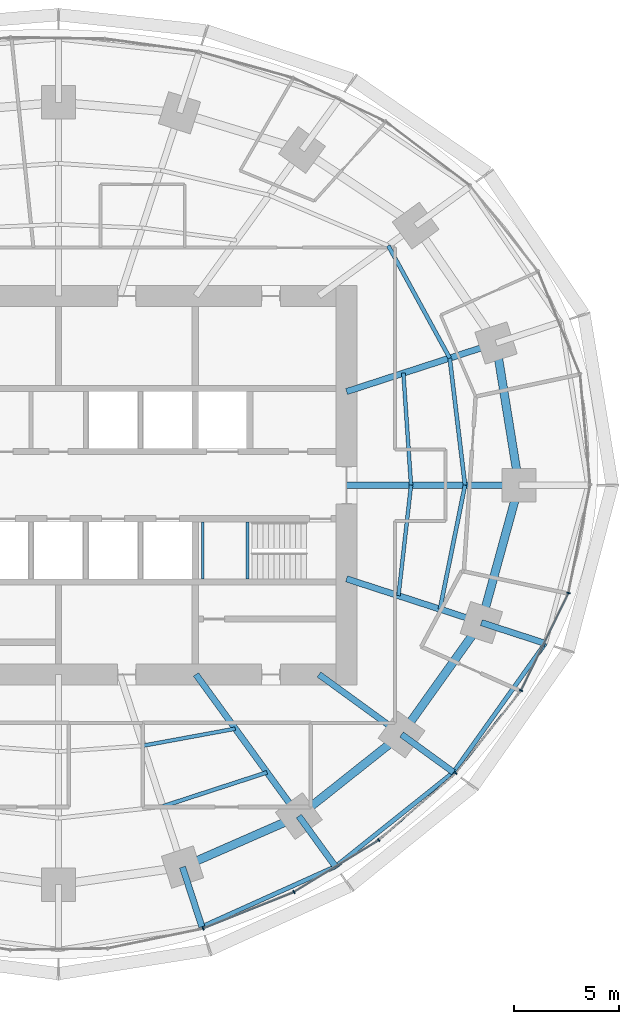
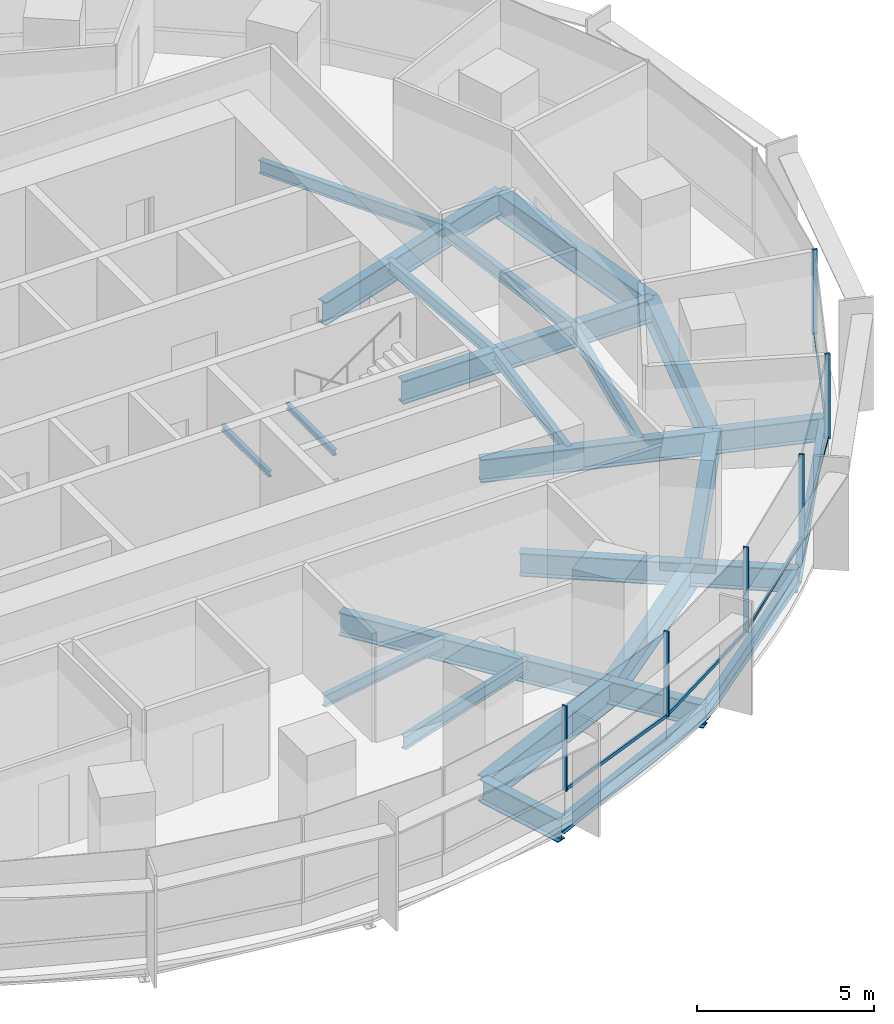
# One storey, part 5 of 14: 26 beams, 11 members, 2 elements without a shape of their own.
"""IFC4 building model written with IfcOpenShell, lengths in metres."""

from ifc_helpers import new_model, si_unit, direction, frame, origin, origin_2d, place, context, subcontext, project, spatial, rectangle, i_section, extrude, material, material_profile, profile_set, type_object, element, aggregate, save


model = new_model("IFC4")

# Units and contexts
model_context = context("Model", 3, precision=1e-05, world=origin(), true_north=direction((0.0, 1.0)))
body_context = subcontext(model_context, "Body", "Model", "MODEL_VIEW")
ifc_project = project(units=[si_unit("LENGTHUNIT", "METRE"), si_unit("AREAUNIT", "SQUARE_METRE"), si_unit("VOLUMEUNIT", "CUBIC_METRE"), si_unit("PLANEANGLEUNIT", "RADIAN"), si_unit("MASSUNIT", "GRAM", prefix="KILO")], contexts=[model_context])

# Site, building, storey
site_placement = place(None, origin())
site = spatial("IfcSite", under=ifc_project, at=site_placement, CompositionType="ELEMENT")
building_placement = place(site_placement, origin())
building = spatial("IfcBuilding", under=site, at=building_placement, Name="Marramba Exchange Tower", CompositionType="ELEMENT")
storey_placement = place(building_placement, frame((0.0, 0.0, 127.5)))
storey = spatial("IfcBuildingStorey", under=building, at=storey_placement, Name="L30", CompositionType="ELEMENT", Elevation=127.5)

# Beams
ifc_material_1 = material(Name="Steel AS/NZS 3679.2 grade 300", Category="steel")
ifc_material_profile_1 = material_profile(ifc_material_1, i_section(OverallWidth=0.300048828125, OverallDepth=0.800048828125, WebThickness=0.013916015625, FlangeThickness=0.031982421875, at=origin_2d()), Name="800WB192")
ifc_profile_set_1 = profile_set([ifc_material_profile_1], Name="Steel AS/NZS 3679.2 grade 300")
beam_type_1 = type_object("IfcBeamType", Name="Cantilever girder 800WB192", PredefinedType="BEAM", material=ifc_profile_set_1)
beam_1_placement = place(storey_placement, frame((5.899658203125, -18.156982421875, -0.56005859375), z_axis=(0.30903246226, -0.951051490336, 0.0), x_axis=(0.951051490336, 0.30903246226, 0.0)))
element("IfcBeam", 1, at=beam_1_placement, inside=storey, type_object=beam_type_1, Name="Cantilever girder L30 TC17", PredefinedType="BEAM", context=body_context, shape_type="SweptSolid", body=[
    extrude(i_section(OverallWidth=0.300048828125, OverallDepth=0.800048828125, WebThickness=0.013916015625, FlangeThickness=0.031982421875, at=origin_2d()), origin(), (0.0, 0.0, 1.0), 2.986328125),
])
beam_2_placement = place(storey_placement, frame((11.430419921875, -15.732666015625, -0.56005859375), z_axis=(0.587794986183, -0.8090099222, 0.0), x_axis=(0.8090099222, 0.587794986183, 0.0)))
element("IfcBeam", 2, at=beam_2_placement, inside=storey, type_object=beam_type_1, Name="Cantilever girder L30 TC18", PredefinedType="BEAM", context=body_context, shape_type="SweptSolid", body=[
    extrude(i_section(OverallWidth=0.300048828125, OverallDepth=0.800048828125, WebThickness=0.013916015625, FlangeThickness=0.031982421875, at=origin_2d()), origin(), (0.0, 0.0, 1.0), 2.9677734375),
])
beam_3_placement = place(storey_placement, frame((16.3154296875, -11.853759765625, -0.56005859375), z_axis=(0.809026231081, -0.587772538847, 0.0), x_axis=(0.587772538847, 0.809026231081, 0.0)))
element("IfcBeam", 3, at=beam_3_placement, inside=storey, type_object=beam_type_1, Name="Cantilever girder L30 TC19", PredefinedType="BEAM", context=body_context, shape_type="SweptSolid", body=[
    extrude(i_section(OverallWidth=0.300048828125, OverallDepth=0.800048828125, WebThickness=0.013916015625, FlangeThickness=0.031982421875, at=origin_2d()), origin(), (0.0, 0.0, 1.0), 3.055419921875),
])
beam_4_placement = place(storey_placement, frame((20.109375, -6.533935546875, -0.56005859375), z_axis=(0.951054839063, -0.309022156318, 0.0), x_axis=(0.309022156318, 0.951054839063, 0.0)))
element("IfcBeam", 4, at=beam_4_placement, inside=storey, type_object=beam_type_1, Name="Cantilever girder L30 TC20", PredefinedType="BEAM", context=body_context, shape_type="SweptSolid", body=[
    extrude(i_section(OverallWidth=0.300048828125, OverallDepth=0.800048828125, WebThickness=0.013916015625, FlangeThickness=0.031982421875, at=origin_2d()), origin(), (0.0, 0.0, 1.0), 3.19580078125),
])
ifc_material_2 = material(Name="Steel AS/NZS 3679.1 grade 300", Category="steel")
ifc_material_profile_2 = material_profile(ifc_material_2, i_section(OverallWidth=0.177978515625, OverallDepth=0.406005859375, WebThickness=0.0078125, FlangeThickness=0.0126953125, FilletRadius=0.011474609375, at=origin_2d()), Name="410UB59.7")
ifc_profile_set_2 = profile_set([ifc_material_profile_2], Name="Steel AS/NZS 3679.1 grade 300")
beam_type_2 = type_object("IfcBeamType", Name="Floor joist 410UB59.7", PredefinedType="JOIST", material=ifc_profile_set_2)
beam_5_placement = place(storey_placement, frame((16.7666015625, 0.0, -0.363037109375), z_axis=(-0.068096259546, 0.99767875563, 0.0), x_axis=(-0.99767875563, -0.068096259546, 0.0)))
element("IfcBeam", 5, at=beam_5_placement, inside=storey, type_object=beam_type_2, Name="Joist L30 bay 01 row 1", PredefinedType="JOIST", context=body_context, shape_type="SweptSolid", body=[
    extrude(i_section(OverallWidth=0.177978515625, OverallDepth=0.406005859375, WebThickness=0.0078125, FlangeThickness=0.0126953125, FilletRadius=0.011474609375, at=origin_2d()), origin(), (0.0, 0.0, 1.0), 5.342041015625),
])
beam_6_placement = place(storey_placement, frame((4.0244140625, -12.3857421875, -0.363037109375), z_axis=(0.983455754421, 0.181148500119, 0.0), x_axis=(-0.181148500119, 0.983455754421, 0.0)))
element("IfcBeam", 6, at=beam_6_placement, inside=storey, type_object=beam_type_2, Name="Joist L30 bay 17 row 1", PredefinedType="JOIST", context=body_context, shape_type="SweptSolid", body=[
    extrude(i_section(OverallWidth=0.177978515625, OverallDepth=0.406005859375, WebThickness=0.0078125, FlangeThickness=0.0126953125, FilletRadius=0.011474609375, at=origin_2d()), origin(), (0.0, 0.0, 1.0), 4.4609375),
])
beam_7_placement = place(storey_placement, frame((16.169677734375, -5.25390625, -0.363037109375), z_axis=(0.112888968594, 0.993607609054, 0.0), x_axis=(-0.993607609054, 0.112888968594, 0.0)))
element("IfcBeam", 7, at=beam_7_placement, inside=storey, type_object=beam_type_2, Name="Joist L30 bay 20 row 1", PredefinedType="JOIST", context=body_context, shape_type="SweptSolid", body=[
    extrude(i_section(OverallWidth=0.177978515625, OverallDepth=0.406005859375, WebThickness=0.0078125, FlangeThickness=0.0126953125, FilletRadius=0.011474609375, at=origin_2d()), origin(), (0.0, 0.0, 1.0), 5.28759765625),
])
ifc_material_profile_3 = material_profile(ifc_material_2, i_section(OverallWidth=0.18994140625, OverallDepth=0.4541015625, WebThickness=0.008544921875, FlangeThickness=0.0126953125, FilletRadius=0.011474609375, at=origin_2d()), Name="460UB67.1")
ifc_profile_set_3 = profile_set([ifc_material_profile_3], Name="Steel AS/NZS 3679.1 grade 300")
beam_type_3 = type_object("IfcBeamType", Name="Floor joist 460UB67.1", PredefinedType="JOIST", material=ifc_profile_set_3)
beam_8_placement = place(storey_placement, frame((19.333251953125, 0.0, -0.386962890625), z_axis=(-0.119523078538, 0.992831422597, 0.0), x_axis=(-0.992831422597, -0.119523078538, 0.0)))
element("IfcBeam", 8, at=beam_8_placement, inside=storey, type_object=beam_type_3, Name="Joist L30 bay 01 row 2", PredefinedType="JOIST", context=body_context, shape_type="SweptSolid", body=[
    extrude(i_section(OverallWidth=0.18994140625, OverallDepth=0.4541015625, WebThickness=0.008544921875, FlangeThickness=0.0126953125, FilletRadius=0.011474609375, at=origin_2d()), origin(), (0.0, 0.0, 1.0), 6.089111328125),
])
beam_9_placement = place(storey_placement, frame((18.60546875, 6.04541015625, -0.386962890625), z_axis=(-0.479584443791, 0.877495732909, 0.0), x_axis=(-0.877495732909, -0.479584443791, 0.0)))
element("IfcBeam", 9, at=beam_9_placement, inside=storey, type_object=beam_type_3, Name="Joist L30 bay 02 row 2", PredefinedType="JOIST", context=body_context, shape_type="SweptSolid", body=[
    extrude(i_section(OverallWidth=0.18994140625, OverallDepth=0.4541015625, WebThickness=0.008544921875, FlangeThickness=0.0126953125, FilletRadius=0.011474609375, at=origin_2d()), origin(), (0.0, 0.0, 1.0), 6.094970703125),
])
beam_10_placement = place(storey_placement, frame((4.9619140625, -15.271484375, -0.386962890625), z_axis=(0.950764024931, 0.309915744834, 0.0), x_axis=(-0.309915744834, 0.950764024931, 0.0)))
element("IfcBeam", 10, at=beam_10_placement, inside=storey, type_object=beam_type_3, Name="Joist L30 bay 17 row 2", PredefinedType="JOIST", context=body_context, shape_type="SweptSolid", body=[
    extrude(i_section(OverallWidth=0.18994140625, OverallDepth=0.4541015625, WebThickness=0.008544921875, FlangeThickness=0.0126953125, FilletRadius=0.011474609375, at=origin_2d()), origin(), (0.0, 0.0, 1.0), 5.2158203125),
])
beam_11_placement = place(storey_placement, frame((18.1396484375, -5.893798828125, -0.386962890625), z_axis=(0.198489047047, 0.980103105904, 0.0), x_axis=(-0.980103105904, 0.198489047047, 0.0)))
element("IfcBeam", 11, at=beam_11_placement, inside=storey, type_object=beam_type_3, Name="Joist L30 bay 20 row 2", PredefinedType="JOIST", context=body_context, shape_type="SweptSolid", body=[
    extrude(i_section(OverallWidth=0.18994140625, OverallDepth=0.4541015625, WebThickness=0.008544921875, FlangeThickness=0.0126953125, FilletRadius=0.011474609375, at=origin_2d()), origin(), (0.0, 0.0, 1.0), 6.013427734375),
])

# Curtain wall, member
ifc_material_3 = material(Name="Aluminium framing, bronze anodised", Category="aluminium")
curtain_wall_type = type_object("IfcCurtainWallType", Name="Office ribbon curtain wall", PredefinedType="USERDEFINED", material=ifc_material_3)
curtain_wall_1_placement = place(storey_placement, origin())
curtain_wall_1 = element("IfcCurtainWall", 12, at=curtain_wall_1_placement, inside=storey, type_object=curtain_wall_type, Name="Curtain wall CW4 L30 F21-F25", ObjectType="RIBBON CURTAIN WALL", PredefinedType="USERDEFINED")
ifc_material_4 = material(Name="Aluminium mullion, bronze anodised", Category="aluminium")
ifc_material_profile_4 = material_profile(ifc_material_4, rectangle(XDim=0.159912109375, YDim=0.06005859375, at=origin_2d()), Name="CW4 mullion 60x160")
ifc_profile_set_4 = profile_set([ifc_material_profile_4], Name="Aluminium mullion, bronze anodised")
member_type_1 = type_object("IfcMemberType", Name="Office ribbon curtain wall mullion", PredefinedType="MULLION", material=ifc_profile_set_4)
member_1_placement = place(storey_placement, frame((6.881103515625, -21.0810546875, 0.800048828125), z_axis=(0.0, 0.0, 1.0), x_axis=(-0.372209067082, 0.928148916059, 0.0)))
member_1 = element("IfcMember", 13, at=member_1_placement, type_object=member_type_1, Name="CW4 mullion 1", PredefinedType="MULLION", context=body_context, shape_type="SweptSolid", body=[
    extrude(rectangle(XDim=0.159912109375, YDim=0.06005859375, at=origin_2d()), origin(), (0.0, 0.0, 1.0), 2.93994140625),
])

# Curtain wall, members
curtain_wall_2_placement = place(storey_placement, origin())
curtain_wall_2 = element("IfcCurtainWall", 14, at=curtain_wall_2_placement, inside=storey, type_object=curtain_wall_type, Name="Curtain wall CW4 L30 F26-F30", ObjectType="RIBBON CURTAIN WALL", PredefinedType="USERDEFINED")
member_2_placement = place(storey_placement, frame((11.2021484375, -19.3427734375, 0.800048828125), z_axis=(0.0, 0.0, 1.0), x_axis=(-0.521732535664, 0.853109114492, 0.0)))
member_2 = element("IfcMember", 15, at=member_2_placement, type_object=member_type_1, Name="CW4 mullion 1", PredefinedType="MULLION", context=body_context, shape_type="SweptSolid", body=[
    extrude(rectangle(XDim=0.159912109375, YDim=0.06005859375, at=origin_2d()), origin(), (0.0, 0.0, 1.0), 2.93994140625),
])
member_3_placement = place(storey_placement, frame((15.232177734375, -16.872314453125, 0.800048828125), z_axis=(0.0, 0.0, 1.0), x_axis=(-0.656431647438, 0.754385506384, 0.0)))
member_3 = element("IfcMember", 16, at=member_3_placement, type_object=member_type_1, Name="CW4 mullion 1", PredefinedType="MULLION", context=body_context, shape_type="SweptSolid", body=[
    extrude(rectangle(XDim=0.159912109375, YDim=0.06005859375, at=origin_2d()), origin(), (0.0, 0.0, 1.0), 2.93994140625),
])
member_4_placement = place(storey_placement, frame((18.886962890625, -13.68505859375, 0.800048828125), z_axis=(0.0, 0.0, 1.0), x_axis=(-0.783170139469, 0.621807472329, 0.0)))
member_4 = element("IfcMember", 17, at=member_4_placement, type_object=member_type_1, Name="CW4 mullion 1", PredefinedType="MULLION", context=body_context, shape_type="SweptSolid", body=[
    extrude(rectangle(XDim=0.159912109375, YDim=0.06005859375, at=origin_2d()), origin(), (0.0, 0.0, 1.0), 2.93994140625),
])
member_5_placement = place(storey_placement, frame((21.994873046875, -9.760009765625, 0.800048828125), z_axis=(0.0, 0.0, 1.0), x_axis=(-0.89844486976, 0.439086342308, 0.0)))
member_5 = element("IfcMember", 18, at=member_5_placement, type_object=member_type_1, Name="CW4 mullion 1", PredefinedType="MULLION", context=body_context, shape_type="SweptSolid", body=[
    extrude(rectangle(XDim=0.159912109375, YDim=0.06005859375, at=origin_2d()), origin(), (0.0, 0.0, 1.0), 2.93994140625),
])
member_6_placement = place(storey_placement, frame((24.252197265625, -5.124267578125, 0.800048828125), z_axis=(0.0, 0.0, 1.0), x_axis=(-0.980393739376, 0.197048511267, 0.0)))
member_6 = element("IfcMember", 19, at=member_6_placement, type_object=member_type_1, Name="CW4 mullion 1", PredefinedType="MULLION", context=body_context, shape_type="SweptSolid", body=[
    extrude(rectangle(XDim=0.159912109375, YDim=0.06005859375, at=origin_2d()), origin(), (0.0, 0.0, 1.0), 2.93994140625),
])

# Member
ifc_material_5 = material(Name="Aluminium transom, bronze anodised", Category="aluminium")
ifc_material_profile_5 = material_profile(ifc_material_5, rectangle(XDim=0.06005859375, YDim=0.1201171875, at=origin_2d()), Name="CW4 transom 60x120")
ifc_profile_set_5 = profile_set([ifc_material_profile_5], Name="Aluminium transom, bronze anodised")
member_type_2 = type_object("IfcMemberType", Name="Office ribbon curtain wall transom", PredefinedType="USERDEFINED", material=ifc_profile_set_5)
member_7_placement = place(storey_placement, frame((6.908935546875, -21.06982421875, 0.830078125), z_axis=(0.928146753748, 0.372214459026, 0.0), x_axis=(-0.372214459026, 0.928146753748, 0.0)))
member_7 = element("IfcMember", 20, at=member_7_placement, type_object=member_type_2, Name="CW4 sill transom", ObjectType="TRANSOM", PredefinedType="USERDEFINED", context=body_context, shape_type="SweptSolid", body=[
    extrude(rectangle(XDim=0.06005859375, YDim=0.1201171875, at=origin_2d()), origin(), (0.0, 0.0, 1.0), 4.597900390625),
])

aggregate(curtain_wall_1, [member_1, member_7])

member_8_placement = place(storey_placement, frame((11.227783203125, -19.3271484375, 0.830078125), z_axis=(0.853124051379, 0.52170811088, 0.0), x_axis=(-0.52170811088, 0.853124051379, 0.0)))
member_8 = element("IfcMember", 21, at=member_8_placement, type_object=member_type_2, Name="CW4 sill transom", ObjectType="TRANSOM", PredefinedType="USERDEFINED", context=body_context, shape_type="SweptSolid", body=[
    extrude(rectangle(XDim=0.06005859375, YDim=0.1201171875, at=origin_2d()), origin(), (0.0, 0.0, 1.0), 4.66748046875),
])

member_9_placement = place(storey_placement, frame((15.2548828125, -16.8525390625, 0.830078125), z_axis=(0.754392594189, 0.65642350189, 0.0), x_axis=(-0.65642350189, 0.754392594189, 0.0)))
member_9 = element("IfcMember", 22, at=member_9_placement, type_object=member_type_2, Name="CW4 sill transom", ObjectType="TRANSOM", PredefinedType="USERDEFINED", context=body_context, shape_type="SweptSolid", body=[
    extrude(rectangle(XDim=0.06005859375, YDim=0.1201171875, at=origin_2d()), origin(), (0.0, 0.0, 1.0), 4.78955078125),
])

member_10_placement = place(storey_placement, frame((18.905517578125, -13.66162109375, 0.830078125), z_axis=(0.621777997945, 0.783193540111, 0.0), x_axis=(-0.783193540111, 0.621777997945, 0.0)))
member_10 = element("IfcMember", 23, at=member_10_placement, type_object=member_type_2, Name="CW4 sill transom", ObjectType="TRANSOM", PredefinedType="USERDEFINED", context=body_context, shape_type="SweptSolid", body=[
    extrude(rectangle(XDim=0.06005859375, YDim=0.1201171875, at=origin_2d()), origin(), (0.0, 0.0, 1.0), 4.947265625),
])

member_11_placement = place(storey_placement, frame((22.008056640625, -9.73291015625, 0.830078125), z_axis=(0.439090714557, 0.898442732949, 0.0), x_axis=(-0.898442732949, 0.439090714557, 0.0)))
member_11 = element("IfcMember", 24, at=member_11_placement, type_object=member_type_2, Name="CW4 sill transom", ObjectType="TRANSOM", PredefinedType="USERDEFINED", context=body_context, shape_type="SweptSolid", body=[
    extrude(rectangle(XDim=0.06005859375, YDim=0.1201171875, at=origin_2d()), origin(), (0.0, 0.0, 1.0), 5.096923828125),
])

aggregate(curtain_wall_2, [member_2, member_8, member_3, member_9, member_4, member_10, member_5, member_11, member_6])

# Beams
ifc_material_profile_6 = material_profile(ifc_material_1, i_section(OverallWidth=0.300048828125, OverallDepth=0.800048828125, WebThickness=0.013916015625, FlangeThickness=0.031982421875, at=origin_2d()), Name="800WB192")
ifc_profile_set_6 = profile_set([ifc_material_profile_6], Name="Steel AS/NZS 3679.2 grade 300")
beam_type_4 = type_object("IfcBeamType", Name="Radial girder 800WB192", PredefinedType="BEAM", material=ifc_profile_set_6)
beam_12_placement = place(storey_placement, frame((13.699951171875, 0.0, -0.56005859375), z_axis=(1.0, 0.0, 0.0), x_axis=(0.0, 1.0, 0.0)))
element("IfcBeam", 25, at=beam_12_placement, inside=storey, type_object=beam_type_4, Name="Radial girder L30 TC01", PredefinedType="BEAM", context=body_context, shape_type="SweptSolid", body=[
    extrude(i_section(OverallWidth=0.300048828125, OverallDepth=0.800048828125, WebThickness=0.013916015625, FlangeThickness=0.031982421875, at=origin_2d()), origin(), (0.0, 0.0, 1.0), 8.199951171875),
])
beam_13_placement = place(storey_placement, frame((13.699951171875, 4.451416015625, -0.56005859375), z_axis=(0.951059990189, 0.309006302624, 0.0), x_axis=(-0.309006302624, 0.951059990189, 0.0)))
element("IfcBeam", 26, at=beam_13_placement, inside=storey, type_object=beam_type_4, Name="Radial girder L30 TC02", PredefinedType="BEAM", context=body_context, shape_type="SweptSolid", body=[
    extrude(i_section(OverallWidth=0.300048828125, OverallDepth=0.800048828125, WebThickness=0.013916015625, FlangeThickness=0.031982421875, at=origin_2d()), origin(), (0.0, 0.0, 1.0), 7.47412109375),
])
beam_14_placement = place(storey_placement, frame((6.538818359375, -9.0, -0.56005859375), z_axis=(0.587787877172, -0.809015087282, 0.0), x_axis=(0.809015087282, 0.587787877172, 0.0)))
element("IfcBeam", 27, at=beam_14_placement, inside=storey, type_object=beam_type_4, Name="Radial girder L30 TC18", PredefinedType="BEAM", context=body_context, shape_type="SweptSolid", body=[
    extrude(i_section(OverallWidth=0.300048828125, OverallDepth=0.800048828125, WebThickness=0.013916015625, FlangeThickness=0.031982421875, at=origin_2d()), origin(), (0.0, 0.0, 1.0), 8.322021484375),
])
beam_15_placement = place(storey_placement, frame((12.387451171875, -9.0, -0.56005859375), z_axis=(0.809025189606, -0.58777397236, 0.0), x_axis=(0.58777397236, 0.809025189606, 0.0)))
element("IfcBeam", 28, at=beam_15_placement, inside=storey, type_object=beam_type_4, Name="Radial girder L30 TC19", PredefinedType="BEAM", context=body_context, shape_type="SweptSolid", body=[
    extrude(i_section(OverallWidth=0.300048828125, OverallDepth=0.800048828125, WebThickness=0.013916015625, FlangeThickness=0.031982421875, at=origin_2d()), origin(), (0.0, 0.0, 1.0), 4.855224609375),
])
beam_16_placement = place(storey_placement, frame((13.699951171875, -4.451416015625, -0.56005859375), z_axis=(0.951057759669, -0.309013167637, 0.0), x_axis=(0.309013167637, 0.951057759669, 0.0)))
element("IfcBeam", 29, at=beam_16_placement, inside=storey, type_object=beam_type_4, Name="Radial girder L30 TC20", PredefinedType="BEAM", context=body_context, shape_type="SweptSolid", body=[
    extrude(i_section(OverallWidth=0.300048828125, OverallDepth=0.800048828125, WebThickness=0.013916015625, FlangeThickness=0.031982421875, at=origin_2d()), origin(), (0.0, 0.0, 1.0), 6.7392578125),
])
ifc_material_profile_7 = material_profile(ifc_material_1, i_section(OverallWidth=0.39990234375, OverallDepth=0.89990234375, WebThickness=0.01611328125, FlangeThickness=0.031982421875, at=origin_2d()), Name="900WB282")
ifc_profile_set_7 = profile_set([ifc_material_profile_7], Name="Steel AS/NZS 3679.2 grade 300")
beam_type_5 = type_object("IfcBeamType", Name="Ring beam 900WB282", PredefinedType="SPANDREL", material=ifc_profile_set_7)
beam_17_placement = place(storey_placement, frame((21.89990234375, 0.0, -0.610107421875), z_axis=(-0.159384865399, 0.987216523708, 0.0), x_axis=(-0.987216523708, -0.159384865399, 0.0)))
element("IfcBeam", 30, at=beam_17_placement, inside=storey, type_object=beam_type_5, Name="Ring beam L30 TC01-TC02", PredefinedType="SPANDREL", context=body_context, shape_type="SweptSolid", body=[
    extrude(i_section(OverallWidth=0.39990234375, OverallDepth=0.89990234375, WebThickness=0.01611328125, FlangeThickness=0.031982421875, at=origin_2d()), origin(), (0.0, 0.0, 1.0), 6.8486328125),
])
beam_18_placement = place(storey_placement, frame((5.899658203125, -18.156982421875, -0.610107421875), z_axis=(0.915876892158, 0.4014592363, 0.0), x_axis=(-0.4014592363, 0.915876892158, 0.0)))
element("IfcBeam", 31, at=beam_18_placement, inside=storey, type_object=beam_type_5, Name="Ring beam L30 TC17-TC18", PredefinedType="SPANDREL", context=body_context, shape_type="SweptSolid", body=[
    extrude(i_section(OverallWidth=0.39990234375, OverallDepth=0.89990234375, WebThickness=0.01611328125, FlangeThickness=0.031982421875, at=origin_2d()), origin(), (0.0, 0.0, 1.0), 6.038818359375),
])
beam_19_placement = place(storey_placement, frame((11.430419921875, -15.732666015625, -0.610107421875), z_axis=(0.783139438128, 0.621846138887, 0.0), x_axis=(-0.621846138887, 0.783139438128, 0.0)))
element("IfcBeam", 32, at=beam_19_placement, inside=storey, type_object=beam_type_5, Name="Ring beam L30 TC18-TC19", PredefinedType="SPANDREL", context=body_context, shape_type="SweptSolid", body=[
    extrude(i_section(OverallWidth=0.39990234375, OverallDepth=0.89990234375, WebThickness=0.01611328125, FlangeThickness=0.031982421875, at=origin_2d()), origin(), (0.0, 0.0, 1.0), 6.23779296875),
])
beam_20_placement = place(storey_placement, frame((16.3154296875, -11.853759765625, -0.610107421875), z_axis=(0.580637181111, 0.814162430914, 0.0), x_axis=(-0.814162430914, 0.580637181111, 0.0)))
element("IfcBeam", 33, at=beam_20_placement, inside=storey, type_object=beam_type_5, Name="Ring beam L30 TC19-TC20", PredefinedType="SPANDREL", context=body_context, shape_type="SweptSolid", body=[
    extrude(i_section(OverallWidth=0.39990234375, OverallDepth=0.89990234375, WebThickness=0.01611328125, FlangeThickness=0.031982421875, at=origin_2d()), origin(), (0.0, 0.0, 1.0), 6.5341796875),
])
beam_21_placement = place(storey_placement, frame((20.109375, -6.533935546875, -0.610107421875), z_axis=(0.264291166956, 0.964442937176, 0.0), x_axis=(-0.964442937176, 0.264291166956, 0.0)))
element("IfcBeam", 34, at=beam_21_placement, inside=storey, type_object=beam_type_5, Name="Ring beam L30 TC20-TC01", PredefinedType="SPANDREL", context=body_context, shape_type="SweptSolid", body=[
    extrude(i_section(OverallWidth=0.39990234375, OverallDepth=0.89990234375, WebThickness=0.01611328125, FlangeThickness=0.031982421875, at=origin_2d()), origin(), (0.0, 0.0, 1.0), 6.77490234375),
])
ifc_material_profile_8 = material_profile(ifc_material_2, i_section(OverallWidth=0.208984375, OverallDepth=0.528076171875, WebThickness=0.009521484375, FlangeThickness=0.01318359375, FilletRadius=0.013916015625, at=origin_2d()), Name="530UB82.0")
ifc_profile_set_8 = profile_set([ifc_material_profile_8], Name="Steel AS/NZS 3679.1 grade 300")
beam_type_6 = type_object("IfcBeamType", Name="Slab edge beam 530UB82.0", PredefinedType="SPANDREL", material=ifc_profile_set_8)
beam_22_placement = place(storey_placement, frame((6.822509765625, -20.9970703125, -0.424072265625), z_axis=(0.911653171624, 0.410960453898, 0.0), x_axis=(-0.410960453898, 0.911653171624, 0.0)))
element("IfcBeam", 35, at=beam_22_placement, inside=storey, type_object=beam_type_6, Name="Slab edge beam L30 TC17-TC18", PredefinedType="SPANDREL", context=body_context, shape_type="SweptSolid", body=[
    extrude(i_section(OverallWidth=0.208984375, OverallDepth=0.528076171875, WebThickness=0.009521484375, FlangeThickness=0.01318359375, FilletRadius=0.013916015625, at=origin_2d()), origin(), (0.0, 0.0, 1.0), 6.9677734375),
])
beam_23_placement = place(storey_placement, frame((13.1748046875, -18.133544921875, -0.424072265625), z_axis=(0.781286404457, 0.624172695822, 0.0), x_axis=(-0.624172695822, 0.781286404457, 0.0)))
element("IfcBeam", 36, at=beam_23_placement, inside=storey, type_object=beam_type_6, Name="Slab edge beam L30 TC18-TC19", PredefinedType="SPANDREL", context=body_context, shape_type="SweptSolid", body=[
    extrude(i_section(OverallWidth=0.208984375, OverallDepth=0.528076171875, WebThickness=0.009521484375, FlangeThickness=0.01318359375, FilletRadius=0.013916015625, at=origin_2d()), origin(), (0.0, 0.0, 1.0), 7.183837890625),
])
beam_24_placement = place(storey_placement, frame((18.787353515625, -13.649658203125, -0.424072265625), z_axis=(0.579834168245, 0.814734519543, 0.0), x_axis=(-0.814734519543, 0.579834168245, 0.0)))
element("IfcBeam", 37, at=beam_24_placement, inside=storey, type_object=beam_type_6, Name="Slab edge beam L30 TC19-TC20", PredefinedType="SPANDREL", context=body_context, shape_type="SweptSolid", body=[
    extrude(i_section(OverallWidth=0.208984375, OverallDepth=0.528076171875, WebThickness=0.009521484375, FlangeThickness=0.01318359375, FilletRadius=0.013916015625, at=origin_2d()), origin(), (0.0, 0.0, 1.0), 7.521728515625),
])
ifc_material_profile_9 = material_profile(ifc_material_2, i_section(OverallWidth=0.133056640625, OverallDepth=0.202880859375, WebThickness=0.005859375, FlangeThickness=0.0078125, FilletRadius=0.0087890625, at=origin_2d()), Name="200UB25.4")
ifc_profile_set_9 = profile_set([ifc_material_profile_9], Name="Steel AS/NZS 3679.1 grade 300")
beam_type_7 = type_object("IfcBeamType", Name="Stair landing beam 200UB25.4", PredefinedType="BEAM", material=ifc_profile_set_9)
for number, where, z_axis, x_axis, name in (
    (38, (6.866455078125, -4.449951171875, 1.6484375), (0.0, 1.0, 0.0), (-1.0, 0.0, 0.0), "Stair landing beam SLB1 ST2 L30 1"),
    (39, (8.9833984375, -4.449951171875, 1.6484375), (0.0, 1.0, 0.0), (-1.0, 0.0, 0.0), "Stair landing beam SLB1 ST2 L30 2"),
):
    element("IfcBeam", number, at=place(storey_placement, frame(where, z_axis=z_axis, x_axis=x_axis)), inside=storey, type_object=beam_type_7, Name=name, PredefinedType="BEAM", context=body_context, shape_type="SweptSolid", body=[
        extrude(i_section(OverallWidth=0.133056640625, OverallDepth=0.202880859375, WebThickness=0.005859375, FlangeThickness=0.0078125, FilletRadius=0.0087890625, at=origin_2d()), origin(), (0.0, 0.0, 1.0), 2.699951171875),
    ])

save(model, "model.ifc")
